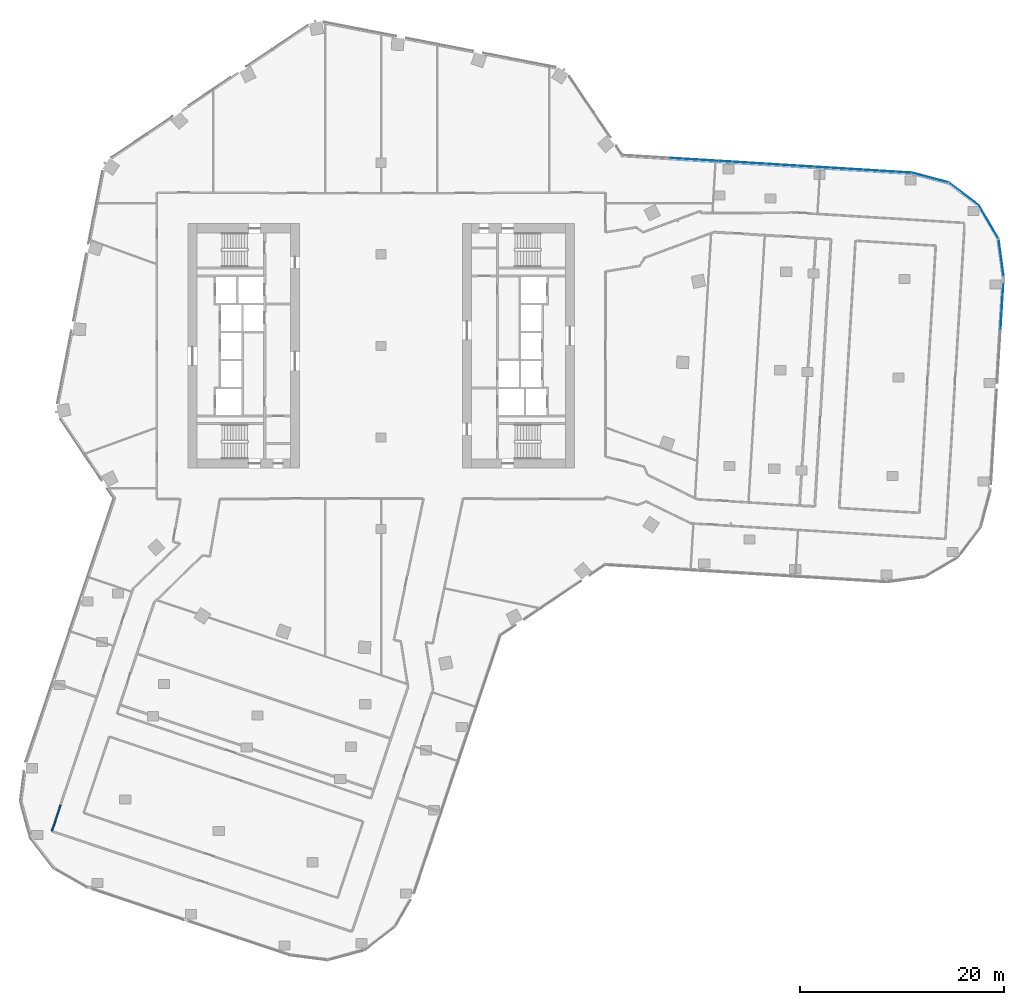
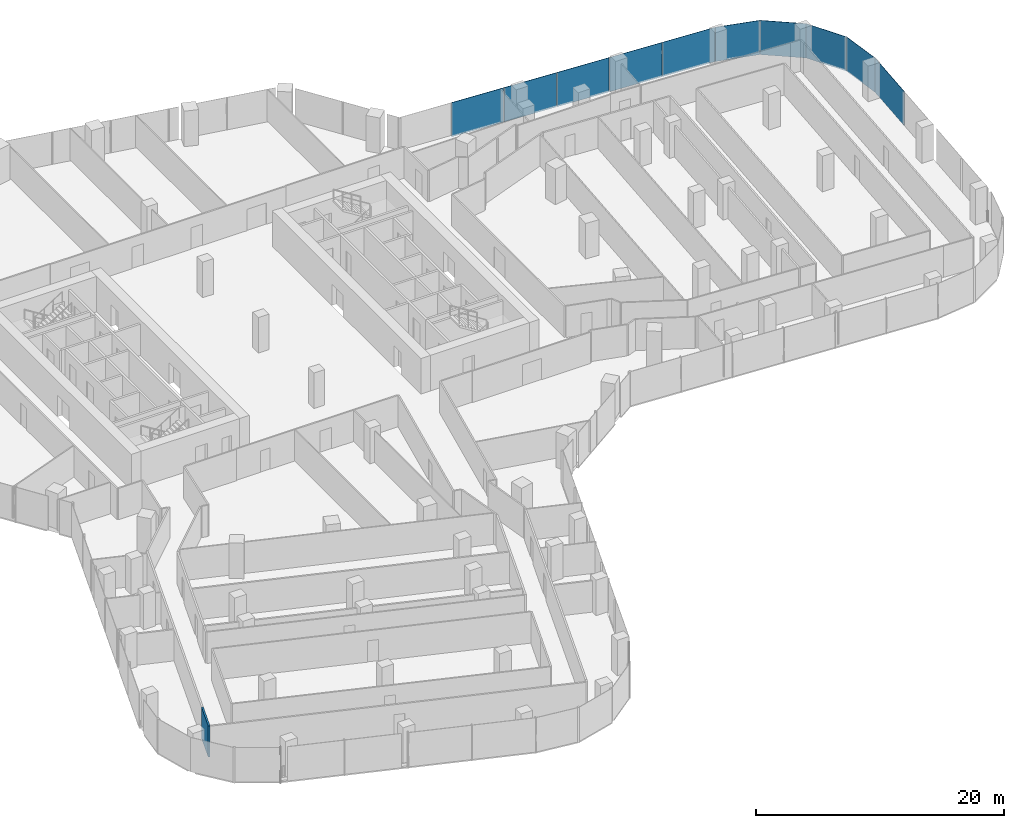
# One storey, part 21 of 32: 10 plates, 1 wall, 6 elements without a shape of their own.
"""IFC4 building model written with IfcOpenShell, lengths in metres."""

from ifc_helpers import new_model, si_unit, direction, frame, frame_2d, origin, origin_2d, place, context, subcontext, project, spatial, rectangle, extrude, material, layer, layer_set, type_object, element, aggregate, save


model = new_model("IFC4")

# Units and contexts
model_context = context("Model", 3, precision=1e-05, world=origin(), true_north=direction((0.0, 1.0)))
body_context = subcontext(model_context, "Body", "Model", "MODEL_VIEW")
ifc_project = project(units=[si_unit("LENGTHUNIT", "METRE"), si_unit("AREAUNIT", "SQUARE_METRE"), si_unit("VOLUMEUNIT", "CUBIC_METRE"), si_unit("PLANEANGLEUNIT", "RADIAN"), si_unit("MASSUNIT", "GRAM", prefix="KILO")], contexts=[model_context])

# Site, building, storey
site_placement = place(None, origin())
site = spatial("IfcSite", under=ifc_project, at=site_placement, CompositionType="ELEMENT")
building_placement = place(site_placement, origin())
building = spatial("IfcBuilding", under=site, at=building_placement, Name="Orlundy Tower", CompositionType="ELEMENT")
storey_placement = place(building_placement, frame((0.0, 0.0, 152.60009765625)))
storey = spatial("IfcBuildingStorey", under=building, at=storey_placement, Name="L39", CompositionType="ELEMENT", Elevation=152.60009765625)

# Curtain wall, plates
ifc_material_1 = material(Name="Aluminium bronze anodised", Category="aluminium")
curtain_wall_type = type_object("IfcCurtainWallType", Name="CW1 wall", PredefinedType="NOTDEFINED", material=ifc_material_1)
curtain_wall_1_placement = place(storey_placement, origin())
curtain_wall_1 = element("IfcCurtainWall", 1, at=curtain_wall_1_placement, inside=storey, type_object=curtain_wall_type, Name="CW1 run 018", PredefinedType="NOTDEFINED")
ifc_material_2 = material(Name="Tinted glass", Category="glass")
ifc_layer_1 = layer(ifc_material_2, 0.031982421875)
ifc_layer_set_1 = layer_set([ifc_layer_1], Name="CW1 glass panel 32")
plate_type = type_object("IfcPlateType", Name="CW1 glass panel 32", PredefinedType="CURTAIN_PANEL", material=ifc_layer_set_1)
plate_1_placement = place(storey_placement, frame((30.77685546875, 18.319091796875, -0.280029296875), z_axis=(0.0, 0.0, 1.0), x_axis=(0.998134478615, -0.061053768107, 0.0)))
plate_1 = element("IfcPlate", 2, at=plate_1_placement, type_object=plate_type, Name="CW1 panel", PredefinedType="CURTAIN_PANEL", context=body_context, shape_type="SweptSolid", body=[
    extrude(rectangle(XDim=4.705322265625, YDim=0.031982421875, at=origin_2d()), origin(), (0.0, 0.0, 1.0), 3.3798828125),
])
plate_2_placement = place(storey_placement, frame((35.523193359375, 18.02880859375, -0.280029296875), z_axis=(0.0, 0.0, 1.0), x_axis=(0.998134478615, -0.061053768107, 0.0)))
plate_2 = element("IfcPlate", 3, at=plate_2_placement, type_object=plate_type, Name="CW1 panel", PredefinedType="CURTAIN_PANEL", context=body_context, shape_type="SweptSolid", body=[
    extrude(rectangle(XDim=4.705322265625, YDim=0.031982421875, at=origin_2d()), origin(), (0.0, 0.0, 1.0), 3.3798828125),
])
plate_3_placement = place(storey_placement, frame((40.269775390625, 17.738525390625, -0.280029296875), z_axis=(0.0, 0.0, 1.0), x_axis=(0.998134478615, -0.061053768107, 0.0)))
plate_3 = element("IfcPlate", 4, at=plate_3_placement, type_object=plate_type, Name="CW1 panel", PredefinedType="CURTAIN_PANEL", context=body_context, shape_type="SweptSolid", body=[
    extrude(rectangle(XDim=4.705322265625, YDim=0.031982421875, at=origin_2d()), origin(), (0.0, 0.0, 1.0), 3.3798828125),
])
plate_4_placement = place(storey_placement, frame((45.016357421875, 17.4482421875, -0.280029296875), z_axis=(0.0, 0.0, 1.0), x_axis=(0.998134478615, -0.061053768107, 0.0)))
plate_4 = element("IfcPlate", 5, at=plate_4_placement, type_object=plate_type, Name="CW1 panel", PredefinedType="CURTAIN_PANEL", context=body_context, shape_type="SweptSolid", body=[
    extrude(rectangle(XDim=4.705322265625, YDim=0.031982421875, at=origin_2d()), origin(), (0.0, 0.0, 1.0), 3.3798828125),
])
plate_5_placement = place(storey_placement, frame((49.770751953125, 17.157470703125, -0.280029296875), z_axis=(0.0, 0.0, 1.0), x_axis=(0.998134478615, -0.061053768107, 0.0)))
plate_5 = element("IfcPlate", 6, at=plate_5_placement, type_object=plate_type, Name="CW1 panel", PredefinedType="CURTAIN_PANEL", context=body_context, shape_type="SweptSolid", body=[
    extrude(rectangle(XDim=4.721435546875, YDim=0.031982421875, at=origin_2d()), origin(), (0.0, 0.0, 1.0), 3.3798828125),
])
aggregate(curtain_wall_1, [plate_1, plate_2, plate_3, plate_4, plate_5])

# Curtain wall, plate
curtain_wall_2_placement = place(storey_placement, origin())
curtain_wall_2 = element("IfcCurtainWall", 7, at=curtain_wall_2_placement, inside=storey, type_object=curtain_wall_type, Name="CW1 run 019", PredefinedType="NOTDEFINED")
plate_6_placement = place(storey_placement, frame((53.97998046875, 16.5302734375, -0.280029296875), z_axis=(0.0, 0.0, 1.0), x_axis=(0.967018593616, -0.254705790277, 0.0)))
plate_6 = element("IfcPlate", 8, at=plate_6_placement, type_object=plate_type, Name="CW1 panel", PredefinedType="CURTAIN_PANEL", context=body_context, shape_type="SweptSolid", body=[
    extrude(rectangle(XDim=3.72998046875, YDim=0.031982421875, at=origin_2d()), origin(), (0.0, 0.0, 1.0), 3.3798828125),
])
aggregate(curtain_wall_2, [plate_6])

curtain_wall_3_placement = place(storey_placement, origin())
curtain_wall_3 = element("IfcCurtainWall", 9, at=curtain_wall_3_placement, inside=storey, type_object=curtain_wall_type, Name="CW1 run 020", PredefinedType="NOTDEFINED")
plate_7_placement = place(storey_placement, frame((57.28466796875, 14.9140625, -0.280029296875), z_axis=(0.0, 0.0, 1.0), x_axis=(0.796131001065, -0.605124308835, 0.0)))
plate_7 = element("IfcPlate", 10, at=plate_7_placement, type_object=plate_type, Name="CW1 panel", PredefinedType="CURTAIN_PANEL", context=body_context, shape_type="SweptSolid", body=[
    extrude(rectangle(XDim=3.77197265625, YDim=0.031982421875, at=origin_2d()), origin(), (0.0, 0.0, 1.0), 3.3798828125),
])
aggregate(curtain_wall_3, [plate_7])

curtain_wall_4_placement = place(storey_placement, origin())
curtain_wall_4 = element("IfcCurtainWall", 11, at=curtain_wall_4_placement, inside=storey, type_object=curtain_wall_type, Name="CW1 run 021", PredefinedType="NOTDEFINED")
plate_8_placement = place(storey_placement, frame((59.736083984375, 12.1435546875, -0.280029296875), z_axis=(0.0, 0.0, 1.0), x_axis=(0.503703269164, -0.863876736944, 0.0)))
plate_8 = element("IfcPlate", 12, at=plate_8_placement, type_object=plate_type, Name="CW1 panel", PredefinedType="CURTAIN_PANEL", context=body_context, shape_type="SweptSolid", body=[
    extrude(rectangle(XDim=3.771728515625, YDim=0.031982421875, at=origin_2d()), origin(), (0.0, 0.0, 1.0), 3.3798828125),
])
aggregate(curtain_wall_4, [plate_8])

curtain_wall_5_placement = place(storey_placement, origin())
curtain_wall_5 = element("IfcCurtainWall", 13, at=curtain_wall_5_placement, inside=storey, type_object=curtain_wall_type, Name="CW1 run 022", PredefinedType="NOTDEFINED")
plate_9_placement = place(storey_placement, frame((60.937744140625, 8.666259765625, -0.280029296875), z_axis=(0.0, 0.0, 1.0), x_axis=(0.134884472094, -0.990861331967, 0.0)))
plate_9 = element("IfcPlate", 14, at=plate_9_placement, type_object=plate_type, Name="CW1 panel", PredefinedType="CURTAIN_PANEL", context=body_context, shape_type="SweptSolid", body=[
    extrude(rectangle(XDim=3.73046875, YDim=0.031982421875, at=origin_2d()), origin(), (0.0, 0.0, 1.0), 3.3798828125),
])
aggregate(curtain_wall_5, [plate_9])

curtain_wall_6_placement = place(storey_placement, origin())
curtain_wall_6 = element("IfcCurtainWall", 15, at=curtain_wall_6_placement, inside=storey, type_object=curtain_wall_type, Name="CW1 run 023", PredefinedType="NOTDEFINED")
plate_10_placement = place(storey_placement, frame((61.031982421875, 4.164794921875, -0.280029296875), z_axis=(0.0, 0.0, 1.0), x_axis=(-0.061047131434, -0.998134884544, 0.0)))
plate_10 = element("IfcPlate", 16, at=plate_10_placement, type_object=plate_type, Name="CW1 panel", PredefinedType="CURTAIN_PANEL", context=body_context, shape_type="SweptSolid", body=[
    extrude(rectangle(XDim=5.216064453125, YDim=0.031982421875, at=origin_2d()), origin(), (0.0, 0.0, 1.0), 3.3798828125),
])
aggregate(curtain_wall_6, [plate_10])

# Wall
ifc_material_3 = material(Name="Blockwork shaft wall", Category="masonry")
ifc_layer_2 = layer(ifc_material_3, 0.14990234375)
ifc_layer_set_2 = layer_set([ifc_layer_2], Name="Floor shaft wall 150")
wall_type = type_object("IfcWallType", Name="Floor shaft wall 150", PredefinedType="PARTITIONING", material=ifc_layer_set_2)
wall_placement = place(storey_placement, frame((-31.507080078125, -45.135009765625, 0.0), z_axis=(0.0, 0.0, 1.0), x_axis=(-0.316987131858, -0.948429838331, 0.0)))
element("IfcWall", 17, at=wall_placement, inside=storey, type_object=wall_type, Name="wall-int-L39-075", PredefinedType="PARTITIONING", context=body_context, shape_type="SweptSolid", body=[
    extrude(rectangle(XDim=2.7001953125, YDim=0.14990234375, at=frame_2d((1.35009765625, 0.0))), origin(), (0.0, 0.0, 1.0), 3.079833984375),
])

save(model, "model.ifc")
